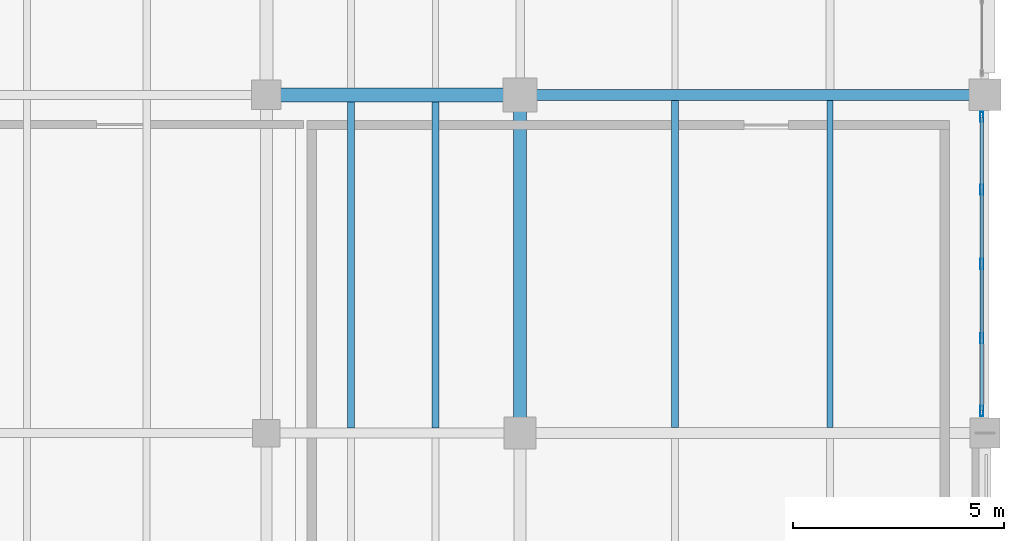
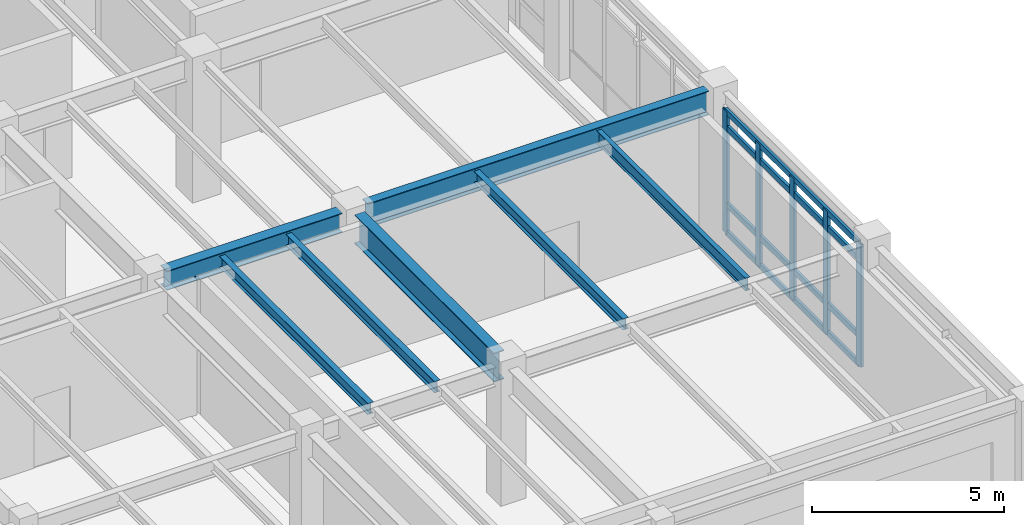
# One storey, part 116 of 168: 9 members, 7 beams, 1 element without a shape of its own.
"""IFC4 building model written with IfcOpenShell, lengths in metres."""

from ifc_helpers import new_model, si_unit, direction, frame, origin, origin_2d, place, context, subcontext, project, spatial, hollow_rectangle, i_section, extrude, material, material_profile, profile_set, type_object, element, aggregate, save


model = new_model("IFC4")

# Units and contexts
model_context = context("Model", 3, precision=1e-05, world=origin(), true_north=direction((0.0, 1.0)))
body_context = subcontext(model_context, "Body", "Model", "MODEL_VIEW")
ifc_project = project(units=[si_unit("LENGTHUNIT", "METRE"), si_unit("AREAUNIT", "SQUARE_METRE"), si_unit("VOLUMEUNIT", "CUBIC_METRE"), si_unit("PLANEANGLEUNIT", "RADIAN"), si_unit("MASSUNIT", "GRAM", prefix="KILO"), si_unit("THERMODYNAMICTEMPERATUREUNIT", "KELVIN"), si_unit("POWERUNIT", "WATT")], contexts=[model_context])

# Site, building, storey
site_placement = place(None, origin())
site = spatial("IfcSite", under=ifc_project, at=site_placement, CompositionType="ELEMENT")
building_placement = place(site_placement, origin())
building = spatial("IfcBuilding", under=site, at=building_placement, Name="Tepalcoro Natatorium and Aquatics Centre", CompositionType="ELEMENT")
storey_placement = place(building_placement, frame((0.0, 0.0, 10.199951171875)))
storey = spatial("IfcBuildingStorey", under=building, at=storey_placement, Name="L02", CompositionType="ELEMENT", Elevation=10.199951171875)

# Beams
ifc_material_1 = material(Name="Steel ASTM A992 Grade 50 (Fy 345 MPa)", Category="steel")
ifc_material_profile_1 = material_profile(ifc_material_1, i_section(OverallWidth=0.324951171875, OverallDepth=0.616943359375, WebThickness=0.013916015625, FlangeThickness=0.02197265625, FilletRadius=0.013916015625, at=origin_2d()), Name="W24X117")
ifc_profile_set_1 = profile_set([ifc_material_profile_1], Name="Steel ASTM A992 Grade 50 (Fy 345 MPa)")
beam_type_1 = type_object("IfcBeamType", Name="BM_W24x117", PredefinedType="BEAM", material=ifc_profile_set_1)
beam_1_placement = place(storey_placement, frame((159.3349609375, 102.0, 4.056640625), z_axis=(1.0, 0.0, 0.0), x_axis=(0.0, 1.0, 0.0)))
element("IfcBeam", 1, at=beam_1_placement, inside=storey, type_object=beam_type_1, Name="V5 L02 Grid Girder X", PredefinedType="BEAM", context=body_context, shape_type="SweptSolid", body=[
    extrude(i_section(OverallWidth=0.324951171875, OverallDepth=0.616943359375, WebThickness=0.013916015625, FlangeThickness=0.02197265625, FilletRadius=0.013916015625, at=origin_2d()), origin(), (0.0, 0.0, 1.0), 5.280029296875),
])
ifc_material_profile_2 = material_profile(ifc_material_1, i_section(OverallWidth=0.26708984375, OverallDepth=0.761962890625, WebThickness=0.013916015625, FlangeThickness=0.02197265625, FilletRadius=0.013916015625, at=origin_2d()), Name="W30X116")
ifc_profile_set_2 = profile_set([ifc_material_profile_2], Name="Steel ASTM A992 Grade 50 (Fy 345 MPa)")
beam_type_2 = type_object("IfcBeamType", Name="BM_W30x116", PredefinedType="BEAM", material=ifc_profile_set_2)
beam_2_placement = place(storey_placement, frame((165.385009765625, 102.0, 3.984130859375), z_axis=(1.0, 0.0, 0.0), x_axis=(0.0, 1.0, 0.0)))
element("IfcBeam", 2, at=beam_2_placement, inside=storey, type_object=beam_type_2, Name="V5 L02 Grid Girder X", PredefinedType="BEAM", context=body_context, shape_type="SweptSolid", body=[
    extrude(i_section(OverallWidth=0.26708984375, OverallDepth=0.761962890625, WebThickness=0.013916015625, FlangeThickness=0.02197265625, FilletRadius=0.013916015625, at=origin_2d()), origin(), (0.0, 0.0, 1.0), 10.2548828125),
])
ifc_material_profile_3 = material_profile(ifc_material_1, i_section(OverallWidth=0.304931640625, OverallDepth=0.9189453125, WebThickness=0.01708984375, FlangeThickness=0.028076171875, FilletRadius=0.013916015625, at=origin_2d()), Name="W36X170")
ifc_profile_set_3 = profile_set([ifc_material_profile_3], Name="Steel ASTM A992 Grade 50 (Fy 345 MPa)")
beam_type_3 = type_object("IfcBeamType", Name="BM_W36x170", PredefinedType="BEAM", material=ifc_profile_set_3)
beam_3_placement = place(storey_placement, frame((165.0, 94.360107421875, 3.905517578125), z_axis=(0.0, 1.0, 0.0), x_axis=(-1.0, 0.0, 0.0)))
element("IfcBeam", 3, at=beam_3_placement, inside=storey, type_object=beam_type_3, Name="V5 L02 Grid Girder Y", PredefinedType="BEAM", context=body_context, shape_type="SweptSolid", body=[
    extrude(i_section(OverallWidth=0.304931640625, OverallDepth=0.9189453125, WebThickness=0.01708984375, FlangeThickness=0.028076171875, FilletRadius=0.013916015625, at=origin_2d()), origin(), (0.0, 0.0, 1.0), 7.2548828125),
])

# Curtain wall, members
ifc_material_2 = material(Name="Bronze-Anodised Extruded Aluminium Alloy EN AW-6063 T6", Category="aluminium")
curtain_wall_type = type_object("IfcCurtainWallType", Name="CW_LEAN_T2_NS", PredefinedType="USERDEFINED", material=ifc_material_2)
curtain_wall_placement = place(storey_placement, origin())
curtain_wall = element("IfcCurtainWall", 4, at=curtain_wall_placement, inside=storey, type_object=curtain_wall_type, Name="V5 L02 E Unitised Curtain Wall Bay 2", ObjectType="FACETED SOLAR GLAZING", PredefinedType="USERDEFINED")
ifc_material_profile_4 = material_profile(ifc_material_2, hollow_rectangle(XDim=0.080078125, YDim=0.239990234375, WallThickness=0.0048828125, at=origin_2d()), Name="AL80X240X5")
ifc_profile_set_4 = profile_set([ifc_material_profile_4], Name="Bronze-Anodised Extruded Aluminium Alloy EN AW-6063 T6")
member_type_1 = type_object("IfcMemberType", Name="CW_MUL_80x240", PredefinedType="MULLION", material=ifc_profile_set_4)
member_1_placement = place(storey_placement, frame((175.923828125, 94.52001953125, 0.02001953125), z_axis=(0.0, 0.0, 1.0), x_axis=(1.0, 0.0, 0.0)))
member_1 = element("IfcMember", 5, at=member_1_placement, type_object=member_type_1, Name="CW_LEAN_T2_NS Curtain Wall Mullion", PredefinedType="MULLION", context=body_context, shape_type="SweptSolid", body=[
    extrude(hollow_rectangle(XDim=0.080078125, YDim=0.239990234375, WallThickness=0.0048828125, at=origin_2d()), origin(), (0.0, 0.0, 1.0), 3.89697265625),
])
member_2_placement = place(storey_placement, frame((175.923828125, 96.239990234375, 0.02001953125), z_axis=(0.0, 0.0, 1.0), x_axis=(1.0, 0.0, 0.0)))
member_2 = element("IfcMember", 6, at=member_2_placement, type_object=member_type_1, Name="CW_LEAN_T2_NS Curtain Wall Mullion", PredefinedType="MULLION", context=body_context, shape_type="SweptSolid", body=[
    extrude(hollow_rectangle(XDim=0.080078125, YDim=0.239990234375, WallThickness=0.0048828125, at=origin_2d()), origin(), (0.0, 0.0, 1.0), 3.89697265625),
])
member_3_placement = place(storey_placement, frame((175.923828125, 98.0, 0.02001953125), z_axis=(0.0, 0.0, 1.0), x_axis=(1.0, 0.0, 0.0)))
member_3 = element("IfcMember", 7, at=member_3_placement, type_object=member_type_1, Name="CW_LEAN_T2_NS Curtain Wall Mullion", PredefinedType="MULLION", context=body_context, shape_type="SweptSolid", body=[
    extrude(hollow_rectangle(XDim=0.080078125, YDim=0.239990234375, WallThickness=0.0048828125, at=origin_2d()), origin(), (0.0, 0.0, 1.0), 3.89697265625),
])
member_4_placement = place(storey_placement, frame((175.923828125, 99.760009765625, 0.02001953125), z_axis=(0.0, 0.0, 1.0), x_axis=(1.0, 0.0, 0.0)))
member_4 = element("IfcMember", 8, at=member_4_placement, type_object=member_type_1, Name="CW_LEAN_T2_NS Curtain Wall Mullion", PredefinedType="MULLION", context=body_context, shape_type="SweptSolid", body=[
    extrude(hollow_rectangle(XDim=0.080078125, YDim=0.239990234375, WallThickness=0.0048828125, at=origin_2d()), origin(), (0.0, 0.0, 1.0), 3.89697265625),
])
member_5_placement = place(storey_placement, frame((175.923828125, 101.47998046875, 0.02001953125), z_axis=(0.0, 0.0, 1.0), x_axis=(1.0, 0.0, 0.0)))
member_5 = element("IfcMember", 9, at=member_5_placement, type_object=member_type_1, Name="CW_LEAN_T2_NS Curtain Wall Mullion", PredefinedType="MULLION", context=body_context, shape_type="SweptSolid", body=[
    extrude(hollow_rectangle(XDim=0.080078125, YDim=0.239990234375, WallThickness=0.0048828125, at=origin_2d()), origin(), (0.0, 0.0, 1.0), 3.89697265625),
])
ifc_material_profile_5 = material_profile(ifc_material_2, hollow_rectangle(XDim=0.080078125, YDim=0.179931640625, WallThickness=0.0048828125, at=origin_2d()), Name="AL80X180X5")
ifc_profile_set_5 = profile_set([ifc_material_profile_5], Name="Bronze-Anodised Extruded Aluminium Alloy EN AW-6063 T6")
member_type_2 = type_object("IfcMemberType", Name="CW_TRN_80x180", PredefinedType="USERDEFINED", material=ifc_profile_set_5)
member_6_placement = place(storey_placement, frame((175.923828125, 94.530029296875, 0.050048828125), z_axis=(0.0, 1.0, 0.0), x_axis=(-1.0, 0.0, 0.0)))
member_6 = element("IfcMember", 10, at=member_6_placement, type_object=member_type_2, Name="CW_LEAN_T2_NS Curtain Wall Transom", ObjectType="TRANSOM", PredefinedType="USERDEFINED", context=body_context, shape_type="SweptSolid", body=[
    extrude(hollow_rectangle(XDim=0.080078125, YDim=0.179931640625, WallThickness=0.0048828125, at=origin_2d()), origin(), (0.0, 0.0, 1.0), 6.93994140625),
])
member_7_placement = place(storey_placement, frame((175.923828125, 94.530029296875, 0.949951171875), z_axis=(0.0, 1.0, 0.0), x_axis=(-1.0, 0.0, 0.0)))
member_7 = element("IfcMember", 11, at=member_7_placement, type_object=member_type_2, Name="CW_LEAN_T2_NS Curtain Wall Transom", ObjectType="TRANSOM", PredefinedType="USERDEFINED", context=body_context, shape_type="SweptSolid", body=[
    extrude(hollow_rectangle(XDim=0.080078125, YDim=0.179931640625, WallThickness=0.0048828125, at=origin_2d()), origin(), (0.0, 0.0, 1.0), 6.93994140625),
])
member_8_placement = place(storey_placement, frame((175.923828125, 94.530029296875, 3.386962890625), z_axis=(0.0, 1.0, 0.0), x_axis=(-1.0, 0.0, 0.0)))
member_8 = element("IfcMember", 12, at=member_8_placement, type_object=member_type_2, Name="CW_LEAN_T2_NS Curtain Wall Transom", ObjectType="TRANSOM", PredefinedType="USERDEFINED", context=body_context, shape_type="SweptSolid", body=[
    extrude(hollow_rectangle(XDim=0.080078125, YDim=0.179931640625, WallThickness=0.0048828125, at=origin_2d()), origin(), (0.0, 0.0, 1.0), 6.93994140625),
])
member_9_placement = place(storey_placement, frame((175.923828125, 94.530029296875, 3.886962890625), z_axis=(0.0, 1.0, 0.0), x_axis=(-1.0, 0.0, 0.0)))
member_9 = element("IfcMember", 13, at=member_9_placement, type_object=member_type_2, Name="CW_LEAN_T2_NS Curtain Wall Transom", ObjectType="TRANSOM", PredefinedType="USERDEFINED", context=body_context, shape_type="SweptSolid", body=[
    extrude(hollow_rectangle(XDim=0.080078125, YDim=0.179931640625, WallThickness=0.0048828125, at=origin_2d()), origin(), (0.0, 0.0, 1.0), 6.93994140625),
])
aggregate(curtain_wall, [member_1, member_2, member_3, member_4, member_5, member_6, member_7, member_8, member_9])

# Beams
ifc_material_profile_6 = material_profile(ifc_material_1, i_section(OverallWidth=0.1708984375, OverallDepth=0.35107421875, WebThickness=0.007080078125, FlangeThickness=0.010009765625, FilletRadius=0.013916015625, at=origin_2d()), Name="W14X30")
ifc_profile_set_6 = profile_set([ifc_material_profile_6], Name="Steel ASTM A992 Grade 50 (Fy 345 MPa)")
beam_type_4 = type_object("IfcBeamType", Name="JS_W14x30", PredefinedType="JOIST", material=ifc_profile_set_6)
beam_4_placement = place(storey_placement, frame((161.0, 94.114990234375, 4.109619140625), z_axis=(0.0, 1.0, 0.0), x_axis=(-1.0, 0.0, 0.0)))
element("IfcBeam", 14, at=beam_4_placement, inside=storey, type_object=beam_type_4, Name="V5 L02 Floor Joist", PredefinedType="JOIST", context=body_context, shape_type="SweptSolid", body=[
    extrude(i_section(OverallWidth=0.1708984375, OverallDepth=0.35107421875, WebThickness=0.007080078125, FlangeThickness=0.010009765625, FilletRadius=0.013916015625, at=origin_2d()), origin(), (0.0, 0.0, 1.0), 7.722412109375),
])
ifc_material_profile_7 = material_profile(ifc_material_1, i_section(OverallWidth=0.172119140625, OverallDepth=0.35791015625, WebThickness=0.008056640625, FlangeThickness=0.012939453125, FilletRadius=0.013916015625, at=origin_2d()), Name="W14X38")
ifc_profile_set_7 = profile_set([ifc_material_profile_7], Name="Steel ASTM A992 Grade 50 (Fy 345 MPa)")
beam_type_5 = type_object("IfcBeamType", Name="JS_W14x38", PredefinedType="JOIST", material=ifc_profile_set_7)
beam_5_placement = place(storey_placement, frame((163.0, 94.114990234375, 4.10595703125), z_axis=(0.0, 1.0, 0.0), x_axis=(-1.0, 0.0, 0.0)))
element("IfcBeam", 15, at=beam_5_placement, inside=storey, type_object=beam_type_5, Name="V5 L02 Floor Joist", PredefinedType="JOIST", context=body_context, shape_type="SweptSolid", body=[
    extrude(i_section(OverallWidth=0.172119140625, OverallDepth=0.35791015625, WebThickness=0.008056640625, FlangeThickness=0.012939453125, FilletRadius=0.013916015625, at=origin_2d()), origin(), (0.0, 0.0, 1.0), 7.722412109375),
])
beam_6_placement = place(storey_placement, frame((168.666748046875, 94.126953125, 4.10595703125), z_axis=(0.0, 1.0, 0.0), x_axis=(-1.0, 0.0, 0.0)))
element("IfcBeam", 16, at=beam_6_placement, inside=storey, type_object=beam_type_5, Name="V5 L02 Floor Joist", PredefinedType="JOIST", context=body_context, shape_type="SweptSolid", body=[
    extrude(i_section(OverallWidth=0.172119140625, OverallDepth=0.35791015625, WebThickness=0.008056640625, FlangeThickness=0.012939453125, FilletRadius=0.013916015625, at=origin_2d()), origin(), (0.0, 0.0, 1.0), 7.739501953125),
])
ifc_material_profile_8 = material_profile(ifc_material_1, i_section(OverallWidth=0.139892578125, OverallDepth=0.404052734375, WebThickness=0.007080078125, FlangeThickness=0.010986328125, FilletRadius=0.013916015625, at=origin_2d()), Name="W16X31")
ifc_profile_set_8 = profile_set([ifc_material_profile_8], Name="Steel ASTM A992 Grade 50 (Fy 345 MPa)")
beam_type_6 = type_object("IfcBeamType", Name="JS_W16x31", PredefinedType="JOIST", material=ifc_profile_set_8)
beam_7_placement = place(storey_placement, frame((172.333251953125, 94.126953125, 4.0830078125), z_axis=(0.0, 1.0, 0.0), x_axis=(-1.0, 0.0, 0.0)))
element("IfcBeam", 17, at=beam_7_placement, inside=storey, type_object=beam_type_6, Name="V5 L02 Floor Joist", PredefinedType="JOIST", context=body_context, shape_type="SweptSolid", body=[
    extrude(i_section(OverallWidth=0.139892578125, OverallDepth=0.404052734375, WebThickness=0.007080078125, FlangeThickness=0.010986328125, FilletRadius=0.013916015625, at=origin_2d()), origin(), (0.0, 0.0, 1.0), 7.739501953125),
])

save(model, "model.ifc")
